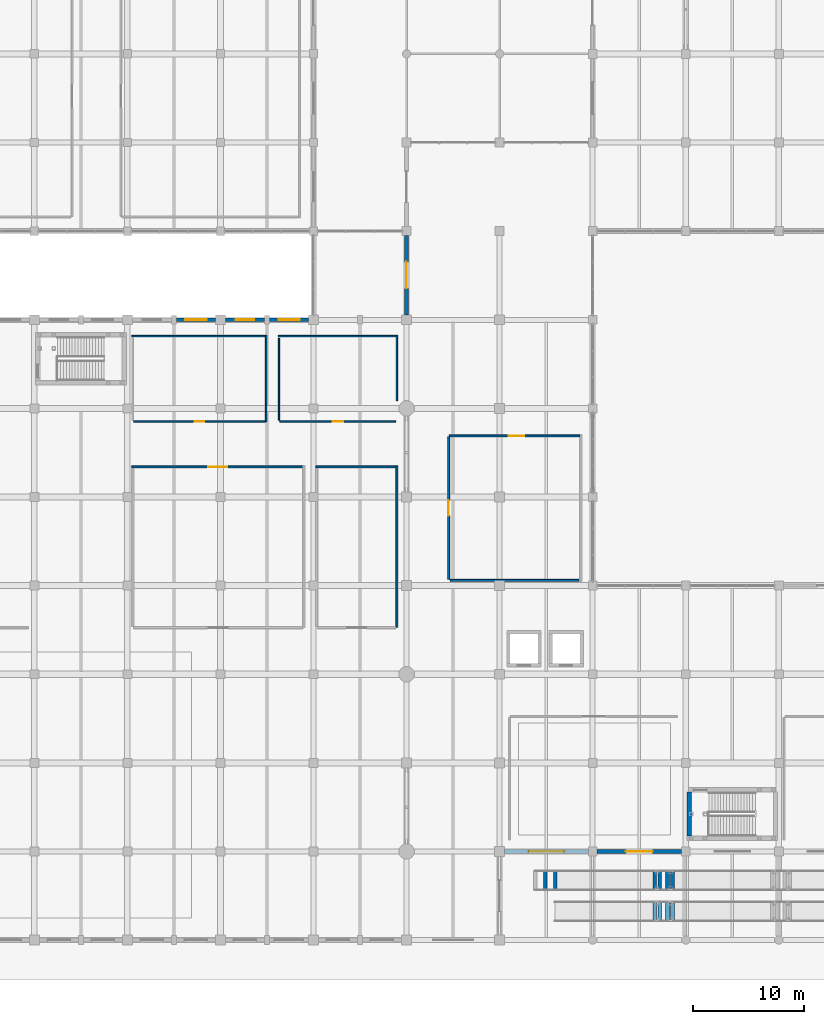
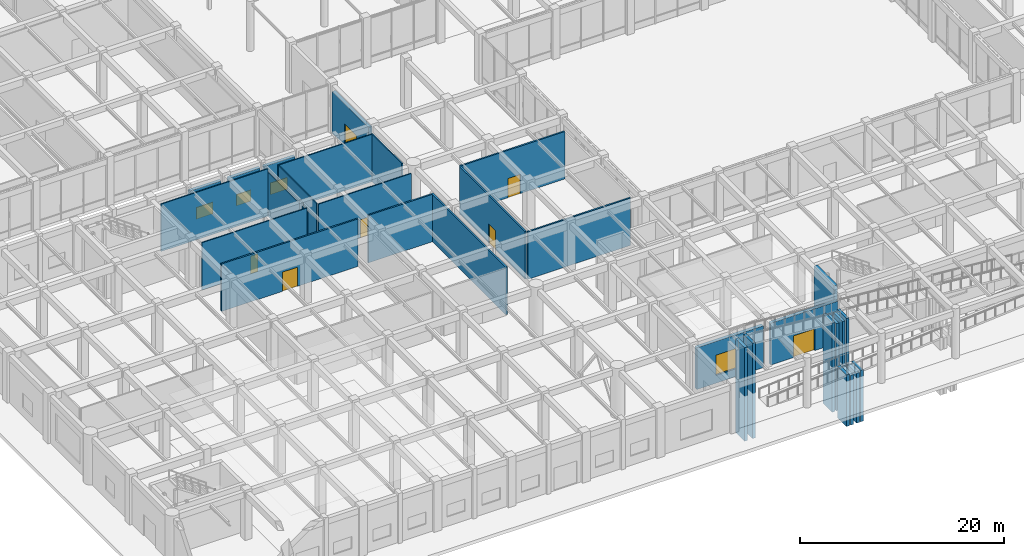
# One storey, part 51 of 76: 32 walls, 7 doors, 4 windows, 11 openings.
"""IFC4 building model written with IfcOpenShell, lengths in metres."""

from ifc_helpers import new_model, si_unit, direction, frame, frame_2d, origin, place, context, subcontext, project, spatial, rectangle, extrude, material, layer, layer_set, type_object, element, fill, save


model = new_model("IFC4")

# Units and contexts
model_context = context("Model", 3, precision=1e-05, world=origin(), true_north=direction((0.0, 1.0)))
body_context = subcontext(model_context, "Body", "Model", "MODEL_VIEW")
ifc_project = project(units=[si_unit("LENGTHUNIT", "METRE"), si_unit("AREAUNIT", "SQUARE_METRE"), si_unit("VOLUMEUNIT", "CUBIC_METRE"), si_unit("PLANEANGLEUNIT", "RADIAN"), si_unit("MASSUNIT", "GRAM", prefix="KILO")], contexts=[model_context])

# Site, building, storey
site_placement = place(None, origin())
site = spatial("IfcSite", under=ifc_project, at=site_placement, CompositionType="ELEMENT")
building_placement = place(site_placement, origin())
building = spatial("IfcBuilding", under=site, at=building_placement, Name="Naruveol Harbour Congress Hotel", CompositionType="ELEMENT")
storey_placement = place(building_placement, origin())
storey = spatial("IfcBuildingStorey", under=building, at=storey_placement, Name="L00", CompositionType="ELEMENT", Elevation=0.0)

# Wall, opening, window
ifc_material_1 = material(Name="Concrete C40/50", Category="concrete")
ifc_layer_1 = layer(ifc_material_1, 0.340087890625)
ifc_layer_set_1 = layer_set([ifc_layer_1], Name="Concrete C40/50")
wall_type_1 = type_object("IfcWallType", Name="ACOUSTIC CONGRESS ENVELOPE WALL 340", PredefinedType="SOLIDWALL", material=ifc_layer_set_1)
wall_1_placement = place(storey_placement, frame((29.625, 56.0, 0.0), z_axis=(0.0, 0.0, 1.0), x_axis=(1.0, 0.0, 0.0)))
wall_1 = element("IfcWall", 1, at=wall_1_placement, inside=storey, type_object=wall_type_1, Name="Congress north facade EW-340", PredefinedType="SOLIDWALL", context=body_context, shape_type="SweptSolid", body=[
    extrude(rectangle(XDim=3.52490234375, YDim=0.340087890625, at=frame_2d((1.762451171875, 0.0))), origin(), (0.0, 0.0, 1.0), 4.97998046875),
])
opening_1_placement = place(wall_1_placement, frame((0.81201171875, 0.0, 1.25)))
opening_1 = element("IfcOpeningElement", 2, at=opening_1_placement, cuts=wall_1, Name="Opening W-20", PredefinedType="OPENING", context=body_context, shape_type="SweptSolid", body=[
    extrude(rectangle(XDim=1.89990234375, YDim=1.39990234375, at=frame_2d((0.949951171875, 0.699951171875))), frame((0.0, 0.179931640625, 0.0), z_axis=(0.0, -1.0, 0.0), x_axis=(1.0, 0.0, 0.0)), (0.0, 0.0, 1.0), 0.360107421875),
])
ifc_material_2 = material(Name="Low-E Triple Glazing in Thermal Aluminium", Category="aluminium")
window_type_1 = type_object("IfcWindowType", Name="PRESS BRIEFING WINDOW 1900X1400", PartitioningType="DOUBLE_PANEL_VERTICAL", PredefinedType="WINDOW", material=ifc_material_2)
window_1_placement = place(opening_1_placement, origin())
window_1 = element("IfcWindow", 3, at=window_1_placement, inside=storey, type_object=window_type_1, Name="Window W-20 #24", OverallHeight=1.39990234375, OverallWidth=1.89990234375, PartitioningType="DOUBLE_PANEL_VERTICAL", PredefinedType="WINDOW", context=body_context, shape_type="SweptSolid", body=[
    extrude(rectangle(XDim=1.89990234375, YDim=1.39990234375, at=frame_2d((0.949951171875, 0.699951171875))), frame((0.0, 0.030029296875, 0.0), z_axis=(0.0, -1.0, 0.0), x_axis=(1.0, 0.0, 0.0)), (0.0, 0.0, 1.0), 0.06005859375),
])
fill(opening_1, window_1)

wall_2_placement = place(storey_placement, frame((34.050048828125, 56.0, 0.0), z_axis=(0.0, 0.0, 1.0), x_axis=(1.0, 0.0, 0.0)))
wall_2 = element("IfcWall", 4, at=wall_2_placement, inside=storey, type_object=wall_type_1, Name="Congress north facade EW-340", PredefinedType="SOLIDWALL", context=body_context, shape_type="SweptSolid", body=[
    extrude(rectangle(XDim=3.52490234375, YDim=0.340087890625, at=frame_2d((1.762451171875, 0.0))), origin(), (0.0, 0.0, 1.0), 4.97998046875),
])
opening_2_placement = place(wall_2_placement, frame((0.93798828125, 0.0, 1.25)))
opening_2 = element("IfcOpeningElement", 5, at=opening_2_placement, cuts=wall_2, Name="Opening W-34", PredefinedType="OPENING", context=body_context, shape_type="SweptSolid", body=[
    extrude(rectangle(XDim=1.64990234375, YDim=1.35009765625, at=frame_2d((0.824951171875, 0.675048828125))), frame((0.0, 0.179931640625, 0.0), z_axis=(0.0, -1.0, 0.0), x_axis=(1.0, 0.0, 0.0)), (0.0, 0.0, 1.0), 0.360107421875),
])
ifc_material_3 = material(Name="Low-E Triple Glazing in Thermal Aluminium", Category="aluminium")
window_type_2 = type_object("IfcWindowType", Name="CONCOURSE NORTH BAY WINDOW 1650X1350", PartitioningType="SINGLE_PANEL", PredefinedType="WINDOW", material=ifc_material_3)
window_2_placement = place(opening_2_placement, origin())
window_2 = element("IfcWindow", 6, at=window_2_placement, inside=storey, type_object=window_type_2, Name="Window W-34 #25", OverallHeight=1.35009765625, OverallWidth=1.64990234375, PartitioningType="SINGLE_PANEL", PredefinedType="WINDOW", context=body_context, shape_type="SweptSolid", body=[
    extrude(rectangle(XDim=1.64990234375, YDim=1.35009765625, at=frame_2d((0.824951171875, 0.675048828125))), frame((0.0, 0.030029296875, 0.0), z_axis=(0.0, -1.0, 0.0), x_axis=(1.0, 0.0, 0.0)), (0.0, 0.0, 1.0), 0.06005859375),
])
fill(opening_2, window_2)

wall_3_placement = place(storey_placement, frame((38.02490234375, 56.0, 0.0), z_axis=(0.0, 0.0, 1.0), x_axis=(1.0, 0.0, 0.0)))
wall_3 = element("IfcWall", 7, at=wall_3_placement, inside=storey, type_object=wall_type_1, Name="Congress north facade EW-340", PredefinedType="SOLIDWALL", context=body_context, shape_type="SweptSolid", body=[
    extrude(rectangle(XDim=3.525146484375, YDim=0.340087890625, at=frame_2d((1.7626953125, 0.0))), origin(), (0.0, 0.0, 1.0), 4.97998046875),
])
opening_3_placement = place(wall_3_placement, frame((0.81201171875, 0.0, 1.25)))
opening_3 = element("IfcOpeningElement", 8, at=opening_3_placement, cuts=wall_3, Name="Opening W-20", PredefinedType="OPENING", context=body_context, shape_type="SweptSolid", body=[
    extrude(rectangle(XDim=1.89990234375, YDim=1.39990234375, at=frame_2d((0.949951171875, 0.699951171875))), frame((0.0, 0.179931640625, 0.0), z_axis=(0.0, -1.0, 0.0), x_axis=(1.0, 0.0, 0.0)), (0.0, 0.0, 1.0), 0.360107421875),
])
window_3_placement = place(opening_3_placement, origin())
window_3 = element("IfcWindow", 9, at=window_3_placement, inside=storey, type_object=window_type_1, Name="Window W-20 #26", OverallHeight=1.39990234375, OverallWidth=1.89990234375, PartitioningType="DOUBLE_PANEL_VERTICAL", PredefinedType="WINDOW", context=body_context, shape_type="SweptSolid", body=[
    extrude(rectangle(XDim=1.89990234375, YDim=1.39990234375, at=frame_2d((0.949951171875, 0.699951171875))), frame((0.0, 0.030029296875, 0.0), z_axis=(0.0, -1.0, 0.0), x_axis=(1.0, 0.0, 0.0)), (0.0, 0.0, 1.0), 0.06005859375),
])
fill(opening_3, window_3)

# Wall, opening, door
ifc_material_4 = material(Name="Autoclaved Aerated Concrete Block", Category="concrete")
ifc_layer_2 = layer(ifc_material_4, 0.179931640625)
ifc_layer_set_2 = layer_set([ifc_layer_2], Name="Autoclaved Aerated Concrete Block")
wall_type_2 = type_object("IfcWallType", Name="ACOUSTIC HALL PARTITION WALL 180 EI60", PredefinedType="PARTITIONING", material=ifc_layer_set_2)
wall_4_placement = place(storey_placement, frame((54.199951171875, 32.56005859375, 0.0), z_axis=(0.0, 0.0, 1.0), x_axis=(0.0, 1.0, 0.0)))
wall_4 = element("IfcWall", 10, at=wall_4_placement, inside=storey, type_object=wall_type_2, Name="Press Briefing Room west entry wall PW-180", PredefinedType="PARTITIONING", context=body_context, shape_type="SweptSolid", body=[
    extrude(rectangle(XDim=12.8798828125, YDim=0.179931640625, at=frame_2d((6.43994140625, 0.0))), origin(), (0.0, 0.0, 1.0), 5.675048828125),
])
opening_4_placement = place(wall_4_placement, frame((5.75, 0.0, 0.0)))
opening_4 = element("IfcOpeningElement", 11, at=opening_4_placement, cuts=wall_4, Name="Opening ID-BD-29", PredefinedType="OPENING", context=body_context, shape_type="SweptSolid", body=[
    extrude(rectangle(XDim=1.3798828125, YDim=2.300048828125, at=frame_2d((0.68994140625, 1.14990234375))), frame((0.0, 0.099853515625, 0.0), z_axis=(0.0, -1.0, 0.0), x_axis=(1.0, 0.0, 0.0)), (0.0, 0.0, 1.0), 0.199951171875),
])
ifc_material_5 = material(Name="Timber & Steel Acoustic Leaf", Category="steel")
door_type_1 = type_object("IfcDoorType", Name="BOARDROOM GLAZED DOUBLE DOOR 1380X2300", OperationType="DOUBLE_DOOR_SINGLE_SWING", PredefinedType="DOOR", material=ifc_material_5)
door_1_placement = place(opening_4_placement, origin())
door_1 = element("IfcDoor", 12, at=door_1_placement, inside=storey, type_object=door_type_1, Name="Press Briefing Room Entrance Door", OperationType="DOUBLE_DOOR_SINGLE_SWING", OverallHeight=2.300048828125, OverallWidth=1.3798828125, PredefinedType="DOOR", context=body_context, shape_type="SweptSolid", body=[
    extrude(rectangle(XDim=1.3798828125, YDim=2.300048828125, at=frame_2d((0.68994140625, 1.14990234375))), frame((0.0, 0.02490234375, 0.0), z_axis=(0.0, -1.0, 0.0), x_axis=(1.0, 0.0, 0.0)), (0.0, 0.0, 1.0), 0.050048828125),
])
fill(opening_4, door_1)

# Wall
wall_5_placement = place(storey_placement, frame((54.340087890625, 32.47998046875, 0.0), z_axis=(0.0, 0.0, 1.0), x_axis=(1.0, 0.0, 0.0)))
element("IfcWall", 13, at=wall_5_placement, inside=storey, type_object=wall_type_2, Name="Press Briefing Room south partition PW-180", PredefinedType="PARTITIONING", context=body_context, shape_type="SweptSolid", body=[
    extrude(rectangle(XDim=11.60986328125, YDim=0.179931640625, at=frame_2d((5.804931640625, 0.0))), origin(), (0.0, 0.0, 1.0), 5.675048828125),
])

# Wall, opening, door
wall_6_placement = place(storey_placement, frame((25.60009765625, 42.719970703125, 0.0), z_axis=(0.0, 0.0, 1.0), x_axis=(1.0, 0.0, 0.0)))
wall_6 = element("IfcWall", 14, at=wall_6_placement, inside=storey, type_object=wall_type_2, Name="Simultaneous Interpreting Preparation Suite north enclosure partition PW-180", PredefinedType="PARTITIONING", context=body_context, shape_type="SweptSolid", body=[
    extrude(rectangle(XDim=15.429931640625, YDim=0.179931640625, at=frame_2d((7.71484375, 0.0))), origin(), (0.0, 0.0, 1.0), 5.675048828125),
])
opening_5_placement = place(wall_6_placement, frame((6.89990234375, 0.0, 0.0)))
opening_5 = element("IfcOpeningElement", 15, at=opening_5_placement, cuts=wall_6, Name="Opening ID-MT-15B", PredefinedType="OPENING", context=body_context, shape_type="SweptSolid", body=[
    extrude(rectangle(XDim=1.699951171875, YDim=2.300048828125, at=frame_2d((0.85009765625, 1.14990234375))), frame((0.0, 0.099853515625, 0.0), z_axis=(0.0, -1.0, 0.0), x_axis=(1.0, 0.0, 0.0)), (0.0, 0.0, 1.0), 0.199951171875),
])
ifc_material_6 = material(Name="Timber & Steel Acoustic Leaf", Category="steel")
door_type_2 = type_object("IfcDoorType", Name="MEETING SALON DOUBLE DOOR 1700X2300", OperationType="DOUBLE_DOOR_SINGLE_SWING", PredefinedType="DOOR", material=ifc_material_6)
door_2_placement = place(opening_5_placement, origin())
door_2 = element("IfcDoor", 16, at=door_2_placement, inside=storey, type_object=door_type_2, Name="Simultaneous Interpreting Preparation Suite Second Exit Door", OperationType="DOUBLE_DOOR_SINGLE_SWING", OverallHeight=2.300048828125, OverallWidth=1.699951171875, PredefinedType="DOOR", context=body_context, shape_type="SweptSolid", body=[
    extrude(rectangle(XDim=1.699951171875, YDim=2.300048828125, at=frame_2d((0.85009765625, 1.14990234375))), frame((0.0, 0.02490234375, 0.0), z_axis=(0.0, -1.0, 0.0), x_axis=(1.0, 0.0, 0.0)), (0.0, 0.0, 1.0), 0.050048828125),
])
fill(opening_5, door_2)

# Walls
wall_7_placement = place(storey_placement, frame((49.52001953125, 28.23193359375, 0.0), z_axis=(0.0, 0.0, 1.0), x_axis=(0.0, 1.0, 0.0)))
element("IfcWall", 17, at=wall_7_placement, inside=storey, type_object=wall_type_2, Name="Congress Cloakroom and Baggage Check east enclosure partition PW-180", PredefinedType="PARTITIONING", context=body_context, shape_type="SweptSolid", body=[
    extrude(rectangle(XDim=14.568115234375, YDim=0.179931640625, at=frame_2d((7.2841796875, 0.0))), origin(), (0.0, 0.0, 1.0), 5.675048828125),
])
wall_8_placement = place(storey_placement, frame((42.199951171875, 42.719970703125, 0.0), z_axis=(0.0, 0.0, 1.0), x_axis=(1.0, 0.0, 0.0)))
element("IfcWall", 18, at=wall_8_placement, inside=storey, type_object=wall_type_2, Name="Congress Cloakroom and Baggage Check north enclosure partition PW-180", PredefinedType="PARTITIONING", context=body_context, shape_type="SweptSolid", body=[
    extrude(rectangle(XDim=7.22998046875, YDim=0.179931640625, at=frame_2d((3.614990234375, 0.0))), origin(), (0.0, 0.0, 1.0), 5.675048828125),
])

# Wall, opening, door
wall_9_placement = place(storey_placement, frame((54.23193359375, 45.52001953125, 0.0), z_axis=(0.0, 0.0, 1.0), x_axis=(1.0, 0.0, 0.0)))
wall_9 = element("IfcWall", 19, at=wall_9_placement, inside=storey, type_object=wall_type_2, Name="Press Briefing Room north enclosure partition PW-180", PredefinedType="PARTITIONING", context=body_context, shape_type="SweptSolid", body=[
    extrude(rectangle(XDim=11.798095703125, YDim=0.179931640625, at=frame_2d((5.89892578125, 0.0))), origin(), (0.0, 0.0, 1.0), 5.675048828125),
])
opening_6_placement = place(wall_9_placement, frame((5.39990234375, 0.0, 0.0)))
opening_6 = element("IfcOpeningElement", 20, at=opening_6_placement, cuts=wall_9, Name="Opening ID-BD-29B", PredefinedType="OPENING", context=body_context, shape_type="SweptSolid", body=[
    extrude(rectangle(XDim=1.3798828125, YDim=2.300048828125, at=frame_2d((0.68994140625, 1.14990234375))), frame((0.0, 0.099853515625, 0.0), z_axis=(0.0, -1.0, 0.0), x_axis=(1.0, 0.0, 0.0)), (0.0, 0.0, 1.0), 0.199951171875),
])
door_3_placement = place(opening_6_placement, origin())
door_3 = element("IfcDoor", 21, at=door_3_placement, inside=storey, type_object=door_type_1, Name="Press Briefing Room Second Exit Door", OperationType="DOUBLE_DOOR_SINGLE_SWING", OverallHeight=2.300048828125, OverallWidth=1.3798828125, PredefinedType="DOOR", context=body_context, shape_type="SweptSolid", body=[
    extrude(rectangle(XDim=1.3798828125, YDim=2.300048828125, at=frame_2d((0.68994140625, 1.14990234375))), frame((0.0, 0.02490234375, 0.0), z_axis=(0.0, -1.0, 0.0), x_axis=(1.0, 0.0, 0.0)), (0.0, 0.0, 1.0), 0.050048828125),
])
fill(opening_6, door_3)

ifc_material_7 = material(Name="Concrete C40/50", Category="concrete")
ifc_layer_3 = layer(ifc_material_7, 0.3798828125)
ifc_layer_set_3 = layer_set([ifc_layer_3], Name="Concrete C40/50")
wall_type_3 = type_object("IfcWallType", Name="INSULATED GRANITE FACADE WALL 380", PredefinedType="SOLIDWALL", material=ifc_layer_set_3)
wall_10_placement = place(storey_placement, frame((75.199951171875, 8.0, 0.0), z_axis=(0.0, 0.0, 1.0), x_axis=(-1.0, 0.0, 0.0)))
wall_10 = element("IfcWall", 22, at=wall_10_placement, inside=storey, type_object=wall_type_3, Name="Courtyard wing south facade EW-380", PredefinedType="SOLIDWALL", context=body_context, shape_type="SweptSolid", body=[
    extrude(rectangle(XDim=7.599853515625, YDim=0.3798828125, at=frame_2d((3.7998046875, 0.0))), origin(), (0.0, 0.0, 1.0), 5.0),
])
opening_7_placement = place(wall_10_placement, frame((2.60009765625, 0.0, 0.0)))
opening_7 = element("IfcOpeningElement", 23, at=opening_7_placement, cuts=wall_10, Name="Opening E11", PredefinedType="OPENING", context=body_context, shape_type="SweptSolid", body=[
    extrude(rectangle(XDim=2.39990234375, YDim=2.60009765625, at=frame_2d((1.199951171875, 1.300048828125))), frame((0.0, 0.199951171875, 0.0), z_axis=(0.0, -1.0, 0.0), x_axis=(1.0, 0.0, 0.0)), (0.0, 0.0, 1.0), 0.39990234375),
])
ifc_material_8 = material(Name="Powder-Coated Steel & Insulated Glazing", Category="steel")
door_type_3 = type_object("IfcDoorType", Name="FINAL EXIT DOUBLE DOOR 2400X2600", OperationType="DOUBLE_DOOR_SINGLE_SWING", PredefinedType="DOOR", material=ifc_material_8)
door_4_placement = place(opening_7_placement, origin())
door_4 = element("IfcDoor", 24, at=door_4_placement, inside=storey, type_object=door_type_3, Name="Final Exit Door E11", OperationType="DOUBLE_DOOR_SINGLE_SWING", OverallHeight=2.60009765625, OverallWidth=2.39990234375, PredefinedType="DOOR", context=body_context, shape_type="SweptSolid", body=[
    extrude(rectangle(XDim=2.39990234375, YDim=2.60009765625, at=frame_2d((1.199951171875, 1.300048828125))), frame((0.0, 0.02490234375, 0.0), z_axis=(0.0, -1.0, 0.0), x_axis=(1.0, 0.0, 0.0)), (0.0, 0.0, 1.0), 0.050048828125),
])
fill(opening_7, door_4)

# Wall, opening, window
wall_11_placement = place(storey_placement, frame((66.800048828125, 8.0, 0.0), z_axis=(0.0, 0.0, 1.0), x_axis=(-1.0, 0.0, 0.0)))
wall_11 = element("IfcWall", 25, at=wall_11_placement, inside=storey, type_object=wall_type_3, Name="Courtyard wing south facade EW-380", PredefinedType="SOLIDWALL", context=body_context, shape_type="SweptSolid", body=[
    extrude(rectangle(XDim=7.550048828125, YDim=0.3798828125, at=frame_2d((3.77490234375, 0.0))), origin(), (0.0, 0.0, 1.0), 5.0),
])
opening_8_placement = place(wall_11_placement, frame((2.175048828125, 0.0, 0.949951171875)))
opening_8 = element("IfcOpeningElement", 26, at=opening_8_placement, cuts=wall_11, Name="Opening W-11", PredefinedType="OPENING", context=body_context, shape_type="SweptSolid", body=[
    extrude(rectangle(XDim=3.199951171875, YDim=2.39990234375, at=frame_2d((1.60009765625, 1.199951171875))), frame((0.0, 0.199951171875, 0.0), z_axis=(0.0, -1.0, 0.0), x_axis=(1.0, 0.0, 0.0)), (0.0, 0.0, 1.0), 0.39990234375),
])
ifc_material_9 = material(Name="Low-E Triple Glazing in Thermal Aluminium", Category="aluminium")
window_type_3 = type_object("IfcWindowType", Name="BRASSERIE WATERFRONT WINDOW 3200X2400", PartitioningType="DOUBLE_PANEL_VERTICAL", PredefinedType="WINDOW", material=ifc_material_9)
window_4_placement = place(opening_8_placement, origin())
window_4 = element("IfcWindow", 27, at=window_4_placement, inside=storey, type_object=window_type_3, Name="Window W-11 #134", OverallHeight=2.39990234375, OverallWidth=3.199951171875, PartitioningType="DOUBLE_PANEL_VERTICAL", PredefinedType="WINDOW", context=body_context, shape_type="SweptSolid", body=[
    extrude(rectangle(XDim=3.199951171875, YDim=2.39990234375, at=frame_2d((1.60009765625, 1.199951171875))), frame((0.0, 0.030029296875, 0.0), z_axis=(0.0, -1.0, 0.0), x_axis=(1.0, 0.0, 0.0)), (0.0, 0.0, 1.0), 0.06005859375),
])
fill(opening_8, window_4)

# Wall, opening, door
wall_12_placement = place(storey_placement, frame((50.39990234375, 63.60009765625, 0.0), z_axis=(0.0, 0.0, 1.0), x_axis=(0.0, -1.0, 0.0)))
wall_12 = element("IfcWall", 28, at=wall_12_placement, inside=storey, type_object=wall_type_3, Name="Main arrival forecourt south bay EW-380", PredefinedType="SOLIDWALL", context=body_context, shape_type="SweptSolid", body=[
    extrude(rectangle(XDim=7.150146484375, YDim=0.3798828125, at=frame_2d((3.5751953125, 0.0))), origin(), (0.0, 0.0, 1.0), 5.0),
])
opening_9_placement = place(wall_12_placement, frame((2.375, 0.0, 0.0)))
opening_9 = element("IfcOpeningElement", 29, at=opening_9_placement, cuts=wall_12, Name="Opening E12", PredefinedType="OPENING", context=body_context, shape_type="SweptSolid", body=[
    extrude(rectangle(XDim=2.39990234375, YDim=2.60009765625, at=frame_2d((1.199951171875, 1.300048828125))), frame((0.0, 0.199951171875, 0.0), z_axis=(0.0, -1.0, 0.0), x_axis=(1.0, 0.0, 0.0)), (0.0, 0.0, 1.0), 0.39990234375),
])
door_5_placement = place(opening_9_placement, origin())
door_5 = element("IfcDoor", 30, at=door_5_placement, inside=storey, type_object=door_type_3, Name="Final Exit Door E12", OperationType="DOUBLE_DOOR_SINGLE_SWING", OverallHeight=2.60009765625, OverallWidth=2.39990234375, PredefinedType="DOOR", context=body_context, shape_type="SweptSolid", body=[
    extrude(rectangle(XDim=2.39990234375, YDim=2.60009765625, at=frame_2d((1.199951171875, 1.300048828125))), frame((0.0, 0.02490234375, 0.0), z_axis=(0.0, -1.0, 0.0), x_axis=(1.0, 0.0, 0.0)), (0.0, 0.0, 1.0), 0.050048828125),
])
fill(opening_9, door_5)

# Walls
ifc_material_10 = material(Name="Concrete C50/60", Category="concrete")
ifc_layer_4 = layer(ifc_material_10, 0.39990234375)
ifc_layer_set_4 = layer_set([ifc_layer_4], Name="Concrete C50/60")
wall_type_4 = type_object("IfcWallType", Name="RC CORE SHEAR WALL 400 EI120", PredefinedType="SHEAR", material=ifc_layer_set_4)
wall_13_placement = place(storey_placement, frame((75.89990234375, 9.405029296875, 0.0), z_axis=(0.0, 0.0, 1.0), x_axis=(0.0, 1.0, 0.0)))
element("IfcWall", 31, at=wall_13_placement, inside=storey, type_object=wall_type_4, Name="Stair ST10 west core wall CW-400", PredefinedType="SHEAR", context=body_context, shape_type="SweptSolid", body=[
    extrude(rectangle(XDim=3.949951171875, YDim=0.39990234375, at=frame_2d((1.97509765625, 0.0))), origin(), (0.0, 0.0, 1.0), 5.675048828125),
])
ifc_material_11 = material(Name="Concrete C40/50", Category="concrete")
ifc_layer_5 = layer(ifc_material_11, 0.320068359375)
ifc_layer_set_5 = layer_set([ifc_layer_5], Name="Concrete C40/50")
wall_type_5 = type_object("IfcWallType", Name="RC RAMP SUPPORT WALL 320", PredefinedType="SHEAR", material=ifc_layer_set_5)
wall_14_placement = place(storey_placement, frame((72.800048828125, 1.699951171875, -5.39990234375), z_axis=(0.0, 0.0, 1.0), x_axis=(0.0, 1.0, 0.0)))
element("IfcWall", 32, at=wall_14_placement, inside=storey, type_object=wall_type_5, Name="Promenade ramp bearing pier #2", PredefinedType="SHEAR", context=body_context, shape_type="SweptSolid", body=[
    extrude(rectangle(XDim=1.800048828125, YDim=0.320068359375, at=frame_2d((0.89990234375, 0.0))), origin(), (0.0, 0.0, 1.0), 6.14990234375),
])
for number, where, z_axis, x_axis, name in (
    (33, (73.25, 1.699951171875, -5.39990234375), (0.0, 0.0, 1.0), (0.0, 1.0, 0.0), "Promenade ramp bearing pier #3"),
    (34, (73.949951171875, 1.699951171875, -5.39990234375), (0.0, 0.0, 1.0), (0.0, 1.0, 0.0), "Promenade ramp bearing pier #4"),
):
    element("IfcWall", number, at=place(storey_placement, frame(where, z_axis=z_axis, x_axis=x_axis)), inside=storey, type_object=wall_type_5, Name=name, PredefinedType="SHEAR", context=body_context, shape_type="SweptSolid", body=[
        extrude(rectangle(XDim=1.800048828125, YDim=0.320068359375, at=frame_2d((0.89990234375, 0.0))), origin(), (0.0, 0.0, 1.0), 5.949951171875),
    ])
wall_15_placement = place(storey_placement, frame((74.39990234375, 1.699951171875, -5.39990234375), z_axis=(0.0, 0.0, 1.0), x_axis=(0.0, 1.0, 0.0)))
element("IfcWall", 35, at=wall_15_placement, inside=storey, type_object=wall_type_5, Name="Promenade ramp bearing pier #5", PredefinedType="SHEAR", context=body_context, shape_type="SweptSolid", body=[
    extrude(rectangle(XDim=1.800048828125, YDim=0.320068359375, at=frame_2d((0.89990234375, 0.0))), origin(), (0.0, 0.0, 1.0), 6.14990234375),
])
wall_16_placement = place(storey_placement, frame((74.39990234375, 4.5, -5.39990234375), z_axis=(0.0, 0.0, 1.0), x_axis=(0.0, 1.0, 0.0)))
element("IfcWall", 36, at=wall_16_placement, inside=storey, type_object=wall_type_5, Name="Promenade ramp bearing pier #25", PredefinedType="SHEAR", context=body_context, shape_type="SweptSolid", body=[
    extrude(rectangle(XDim=1.800048828125, YDim=0.320068359375, at=frame_2d((0.89990234375, 0.0))), origin(), (0.0, 0.0, 1.0), 10.64990234375),
])
for number, where, z_axis, x_axis, name in (
    (37, (73.949951171875, 4.5, -5.39990234375), (0.0, 0.0, 1.0), (0.0, 1.0, 0.0), "Promenade ramp bearing pier #26"),
    (38, (73.25, 4.5, -5.39990234375), (0.0, 0.0, 1.0), (0.0, 1.0, 0.0), "Promenade ramp bearing pier #27"),
):
    element("IfcWall", number, at=place(storey_placement, frame(where, z_axis=z_axis, x_axis=x_axis)), inside=storey, type_object=wall_type_5, Name=name, PredefinedType="SHEAR", context=body_context, shape_type="SweptSolid", body=[
        extrude(rectangle(XDim=1.800048828125, YDim=0.320068359375, at=frame_2d((0.89990234375, 0.0))), origin(), (0.0, 0.0, 1.0), 10.449951171875),
    ])
wall_17_placement = place(storey_placement, frame((72.800048828125, 4.5, -5.39990234375), z_axis=(0.0, 0.0, 1.0), x_axis=(0.0, 1.0, 0.0)))
element("IfcWall", 39, at=wall_17_placement, inside=storey, type_object=wall_type_5, Name="Promenade ramp bearing pier #28", PredefinedType="SHEAR", context=body_context, shape_type="SweptSolid", body=[
    extrude(rectangle(XDim=1.800048828125, YDim=0.320068359375, at=frame_2d((0.89990234375, 0.0))), origin(), (0.0, 0.0, 1.0), 10.64990234375),
])
wall_18_placement = place(storey_placement, frame((63.800048828125, 4.5, -5.39990234375), z_axis=(0.0, 0.0, 1.0), x_axis=(0.0, 1.0, 0.0)))
element("IfcWall", 40, at=wall_18_placement, inside=storey, type_object=wall_type_5, Name="Promenade ramp bearing pier #29", PredefinedType="SHEAR", context=body_context, shape_type="SweptSolid", body=[
    extrude(rectangle(XDim=1.800048828125, YDim=0.320068359375, at=frame_2d((0.89990234375, 0.0))), origin(), (0.0, 0.0, 1.0), 11.39990234375),
])
wall_19_placement = place(storey_placement, frame((62.89990234375, 4.5, -5.39990234375), z_axis=(0.0, 0.0, 1.0), x_axis=(0.0, 1.0, 0.0)))
element("IfcWall", 41, at=wall_19_placement, inside=storey, type_object=wall_type_5, Name="Promenade ramp bearing pier #30", PredefinedType="SHEAR", context=body_context, shape_type="SweptSolid", body=[
    extrude(rectangle(XDim=1.800048828125, YDim=0.320068359375, at=frame_2d((0.89990234375, 0.0))), origin(), (0.0, 0.0, 1.0), 11.199951171875),
])

# Wall, opening, door
ifc_material_12 = material(Name="Acoustic Double Stud Gypsum", Category="gypsum")
ifc_layer_6 = layer(ifc_material_12, 0.125)
ifc_layer_set_6 = layer_set([ifc_layer_6], Name="Acoustic Double Stud Gypsum")
wall_type_6 = type_object("IfcWallType", Name="SERVICE CHASE PARTITION WALL 125", PredefinedType="PARTITIONING", material=ifc_layer_set_6)
wall_20_placement = place(storey_placement, frame((25.760009765625, 46.800048828125, 0.0), z_axis=(0.0, 0.0, 1.0), x_axis=(1.0, 0.0, 0.0)))
wall_20 = element("IfcWall", 42, at=wall_20_placement, inside=storey, type_object=wall_type_6, Name="Public Restrooms south entry wall PW-125", PredefinedType="PARTITIONING", context=body_context, shape_type="SweptSolid", body=[
    extrude(rectangle(XDim=11.8798828125, YDim=0.125, at=frame_2d((5.93994140625, 0.0))), origin(), (0.0, 0.0, 1.0), 5.675048828125),
])
opening_10_placement = place(wall_20_placement, frame((5.510009765625, 0.0, 0.0)))
opening_10 = element("IfcOpeningElement", 43, at=opening_10_placement, cuts=wall_20, Name="Opening BD-WC-L00-17", PredefinedType="OPENING", context=body_context, shape_type="SweptSolid", body=[
    extrude(rectangle(XDim=0.860107421875, YDim=2.1201171875, at=frame_2d((0.43017578125, 1.06005859375))), frame((0.0, 0.072509765625, 0.0), z_axis=(0.0, -1.0, 0.0), x_axis=(1.0, 0.0, 0.0)), (0.0, 0.0, 1.0), 0.14501953125),
])
ifc_material_13 = material(Name="Timber & Steel Acoustic Leaf", Category="steel")
door_type_4 = type_object("IfcDoorType", Name="GUEST BATHROOM DOOR 860X2120", OperationType="NOTDEFINED", PredefinedType="DOOR", material=ifc_material_13)
door_6_placement = place(opening_10_placement, origin())
door_6 = element("IfcDoor", 44, at=door_6_placement, inside=storey, type_object=door_type_4, Name="Restroom Door L00", OperationType="SINGLE_SWING_RIGHT", OverallHeight=2.1201171875, OverallWidth=0.860107421875, PredefinedType="DOOR", context=body_context, shape_type="SweptSolid", body=[
    extrude(rectangle(XDim=0.860107421875, YDim=2.1201171875, at=frame_2d((0.43017578125, 1.06005859375))), frame((0.0, 0.02490234375, 0.0), z_axis=(0.0, -1.0, 0.0), x_axis=(1.0, 0.0, 0.0)), (0.0, 0.0, 1.0), 0.050048828125),
])
fill(opening_10, door_6)

wall_21_placement = place(storey_placement, frame((38.9599609375, 46.800048828125, 0.0), z_axis=(0.0, 0.0, 1.0), x_axis=(1.0, 0.0, 0.0)))
wall_21 = element("IfcWall", 45, at=wall_21_placement, inside=storey, type_object=wall_type_6, Name="Accessible Restroom south entry wall PW-125", PredefinedType="PARTITIONING", context=body_context, shape_type="SweptSolid", body=[
    extrude(rectangle(XDim=10.47998046875, YDim=0.125, at=frame_2d((5.239990234375, 0.0))), origin(), (0.0, 0.0, 1.0), 5.675048828125),
])
opening_11_placement = place(wall_21_placement, frame((4.75, 0.0, 0.0)))
opening_11 = element("IfcOpeningElement", 46, at=opening_11_placement, cuts=wall_21, Name="Opening BD-ACC-L00-18", PredefinedType="OPENING", context=body_context, shape_type="SweptSolid", body=[
    extrude(rectangle(XDim=0.97998046875, YDim=2.14990234375, at=frame_2d((0.489990234375, 1.074951171875))), frame((0.0, 0.072509765625, 0.0), z_axis=(0.0, -1.0, 0.0), x_axis=(1.0, 0.0, 0.0)), (0.0, 0.0, 1.0), 0.14501953125),
])
ifc_material_14 = material(Name="Timber & Steel Acoustic Leaf", Category="steel")
door_type_5 = type_object("IfcDoorType", Name="ACCESSIBLE RESTROOM DOOR 980X2150", OperationType="NOTDEFINED", PredefinedType="DOOR", material=ifc_material_14)
door_7_placement = place(opening_11_placement, origin())
door_7 = element("IfcDoor", 47, at=door_7_placement, inside=storey, type_object=door_type_5, Name="Accessible Restroom Door L00", OperationType="SINGLE_SWING_LEFT", OverallHeight=2.14990234375, OverallWidth=0.97998046875, PredefinedType="DOOR", context=body_context, shape_type="SweptSolid", body=[
    extrude(rectangle(XDim=0.97998046875, YDim=2.14990234375, at=frame_2d((0.489990234375, 1.074951171875))), frame((0.0, 0.02490234375, 0.0), z_axis=(0.0, -1.0, 0.0), x_axis=(1.0, 0.0, 0.0)), (0.0, 0.0, 1.0), 0.050048828125),
])
fill(opening_11, door_7)

# Walls
wall_22_placement = place(storey_placement, frame((38.8798828125, 46.93994140625, 0.0), z_axis=(0.0, 0.0, 1.0), x_axis=(0.0, 1.0, 0.0)))
element("IfcWall", 48, at=wall_22_placement, inside=storey, type_object=wall_type_6, Name="Accessible Restroom west partition PW-125", PredefinedType="PARTITIONING", context=body_context, shape_type="SweptSolid", body=[
    extrude(rectangle(XDim=7.41015625, YDim=0.125, at=frame_2d((3.705078125, 0.0))), origin(), (0.0, 0.0, 1.0), 5.675048828125),
])
wall_23_placement = place(storey_placement, frame((37.719970703125, 46.803955078125, 0.0), z_axis=(0.0, 0.0, 1.0), x_axis=(0.0, 1.0, 0.0)))
element("IfcWall", 49, at=wall_23_placement, inside=storey, type_object=wall_type_6, Name="Public Restrooms east enclosure partition PW-125", PredefinedType="PARTITIONING", context=body_context, shape_type="SweptSolid", body=[
    extrude(rectangle(XDim=0.925048828125, YDim=0.125, at=frame_2d((0.46240234375, 0.0))), origin(), (0.0, 0.0, 1.0), 5.280029296875),
])
wall_24_placement = place(storey_placement, frame((25.60009765625, 54.52001953125, 0.0), z_axis=(0.0, 0.0, 1.0), x_axis=(1.0, 0.0, 0.0)))
element("IfcWall", 50, at=wall_24_placement, inside=storey, type_object=wall_type_6, Name="Public Restrooms north enclosure partition PW-125", PredefinedType="PARTITIONING", context=body_context, shape_type="SweptSolid", body=[
    extrude(rectangle(XDim=12.056884765625, YDim=0.125, at=frame_2d((6.0283203125, 0.0))), origin(), (0.0, 0.0, 1.0), 5.675048828125),
])
wall_25_placement = place(storey_placement, frame((49.52001953125, 48.678955078125, 0.0), z_axis=(0.0, 0.0, 1.0), x_axis=(0.0, 1.0, 0.0)))
element("IfcWall", 51, at=wall_25_placement, inside=storey, type_object=wall_type_6, Name="Accessible Restroom east enclosure partition PW-125", PredefinedType="PARTITIONING", context=body_context, shape_type="SweptSolid", body=[
    extrude(rectangle(XDim=5.921142578125, YDim=0.125, at=frame_2d((2.96044921875, 0.0))), origin(), (0.0, 0.0, 1.0), 5.675048828125),
])
wall_26_placement = place(storey_placement, frame((38.800048828125, 54.52001953125, 0.0), z_axis=(0.0, 0.0, 1.0), x_axis=(1.0, 0.0, 0.0)))
element("IfcWall", 52, at=wall_26_placement, inside=storey, type_object=wall_type_6, Name="Accessible Restroom north enclosure partition PW-125", PredefinedType="PARTITIONING", context=body_context, shape_type="SweptSolid", body=[
    extrude(rectangle(XDim=10.657958984375, YDim=0.125, at=frame_2d((5.3291015625, 0.0))), origin(), (0.0, 0.0, 1.0), 5.675048828125),
])
wall_27_placement = place(storey_placement, frame((37.719970703125, 47.72900390625, 0.0), z_axis=(0.0, 0.0, 1.0), x_axis=(0.0, 1.0, 0.0)))
element("IfcWall", 53, at=wall_27_placement, inside=storey, type_object=wall_type_6, Name="Public Restrooms east enclosure partition PW-125", PredefinedType="PARTITIONING", context=body_context, shape_type="SweptSolid", body=[
    extrude(rectangle(XDim=0.5419921875, YDim=0.125, at=frame_2d((0.27099609375, 0.0))), origin(), (0.0, 0.0, 1.0), 5.675048828125),
])
wall_28_placement = place(storey_placement, frame((37.719970703125, 48.27099609375, 0.0), z_axis=(0.0, 0.0, 1.0), x_axis=(0.0, 1.0, 0.0)))
element("IfcWall", 54, at=wall_28_placement, inside=storey, type_object=wall_type_6, Name="Public Restrooms east enclosure partition PW-125", PredefinedType="PARTITIONING", context=body_context, shape_type="SweptSolid", body=[
    extrude(rectangle(XDim=6.3291015625, YDim=0.125, at=frame_2d((3.16455078125, 0.0))), origin(), (0.0, 0.0, 1.0), 5.280029296875),
])

save(model, "model.ifc")
